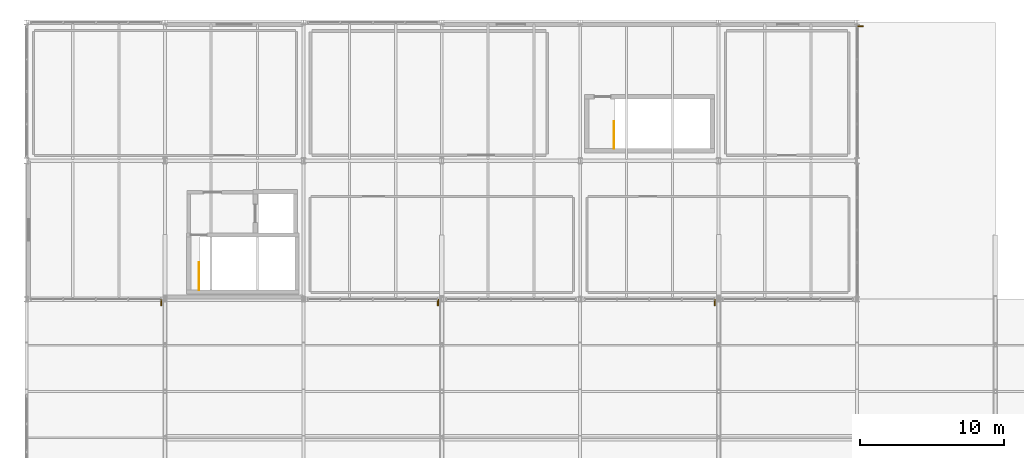
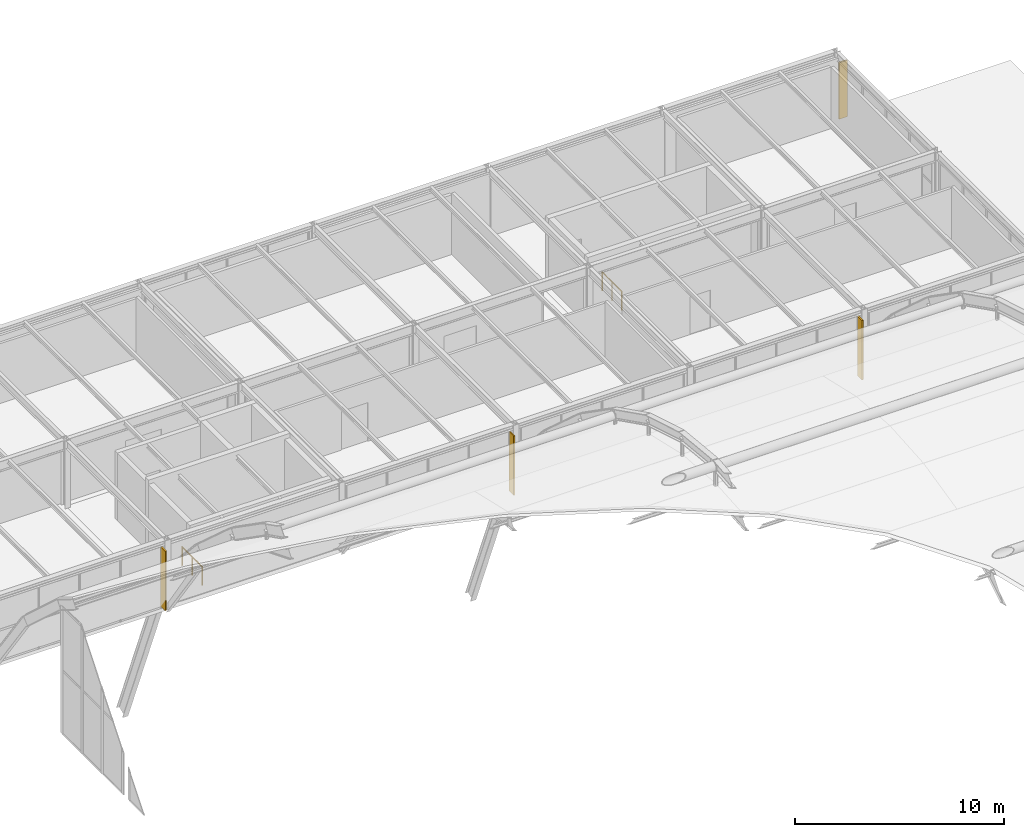
# One storey, part 126 of 126: 4 shading devices, 2 railings.
"""IFC4 building model written with IfcOpenShell, lengths in metres."""

from ifc_helpers import new_model, si_unit, direction, frame, origin, origin_2d, place, context, subcontext, project, spatial, rectangle, circle, extrude, material, type_object, element, save


model = new_model("IFC4")

# Units and contexts
model_context = context("Model", 3, precision=1e-05, world=origin(), true_north=direction((0.0, 1.0)))
body_context = subcontext(model_context, "Body", "Model", "MODEL_VIEW")
ifc_project = project(units=[si_unit("LENGTHUNIT", "METRE"), si_unit("AREAUNIT", "SQUARE_METRE"), si_unit("VOLUMEUNIT", "CUBIC_METRE"), si_unit("PLANEANGLEUNIT", "RADIAN"), si_unit("MASSUNIT", "GRAM", prefix="KILO")], contexts=[model_context])

# Site, building, storey
site_placement = place(None, origin())
site = spatial("IfcSite", under=ifc_project, at=site_placement, CompositionType="ELEMENT")
building_placement = place(site_placement, origin())
building = spatial("IfcBuilding", under=site, at=building_placement, Name="Coralgate Yard Interchange", CompositionType="ELEMENT")
storey_placement = place(building_placement, frame((0.0, 0.0, 10.5)))
storey = spatial("IfcBuildingStorey", under=building, at=storey_placement, Name="L02", CompositionType="ELEMENT", Elevation=10.5)

# Railings
ifc_material_1 = material(Name="Grade 316 marine stainless steel and toughened glass balustrade", Category="steel")
railing_type = type_object("IfcRailingType", Name="RLG-GD1100", PredefinedType="BALUSTRADE", material=ifc_material_1)
railing_1_placement = place(storey_placement, frame((50.35009765625, 77.449951171875, 0.0)))
element("IfcRailing", 1, at=railing_1_placement, inside=storey, type_object=railing_type, Name="L02 ST-05 top well guard 1", PredefinedType="BALUSTRADE", context=body_context, shape_type="SweptSolid", body=[
    extrude(circle(Radius=0.02392578125, at=origin_2d()), frame((0.0, 0.0, 1.076171875), z_axis=(0.0, 1.0, 0.0), x_axis=(-1.0, 0.0, 0.0)), (0.0, 0.0, 1.0), 1.91015625),
    extrude(circle(Radius=0.02099609375, at=origin_2d()), origin(), (0.0, 0.0, 1.0), 1.051513671875),
    extrude(circle(Radius=0.02099609375, at=origin_2d()), frame((0.0, 0.955078125, 0.0)), (0.0, 0.0, 1.0), 1.051513671875),
    extrude(circle(Radius=0.02099609375, at=origin_2d()), frame((0.0, 1.91015625, 0.0)), (0.0, 0.0, 1.0), 1.051513671875),
])
railing_2_placement = place(storey_placement, frame((79.14990234375, 87.260009765625, 0.0)))
element("IfcRailing", 2, at=railing_2_placement, inside=storey, type_object=railing_type, Name="L02 ST-09 top well guard 1", PredefinedType="BALUSTRADE", context=body_context, shape_type="SweptSolid", body=[
    extrude(circle(Radius=0.02392578125, at=origin_2d()), frame((0.0, 0.0, 1.076171875), z_axis=(0.0, 1.0, 0.0), x_axis=(-1.0, 0.0, 0.0)), (0.0, 0.0, 1.0), 1.869873046875),
    extrude(circle(Radius=0.02099609375, at=origin_2d()), origin(), (0.0, 0.0, 1.0), 1.051513671875),
    extrude(circle(Radius=0.02099609375, at=origin_2d()), frame((0.0, 0.93505859375, 0.0)), (0.0, 0.0, 1.0), 1.051513671875),
    extrude(circle(Radius=0.02099609375, at=origin_2d()), frame((0.0, 1.869873046875, 0.0)), (0.0, 0.0, 1.0), 1.051513671875),
])

# Shading devices
ifc_material_2 = material(Name="Anodised coastal aluminium vertical brise-soleil blade", Category="aluminium")
shading_device_type = type_object("IfcShadingDeviceType", Name="SHD-BS1", PredefinedType="SHUTTER", material=ifc_material_2)
for number, where, z_axis, x_axis, name in (
    (3, (47.72998046875, 76.580078125, 0.10009765625), (0.0, 0.0, 1.0), (-1.0, 0.0, 0.0), "L02 coastal aluminium brise-soleil fin S-4-8"),
    (4, (66.929931640625, 76.580078125, 0.10009765625), (0.0, 0.0, 1.0), (-1.0, 0.0, 0.0), "L02 coastal aluminium brise-soleil fin S-6-8"),
    (5, (86.1298828125, 76.580078125, 0.10009765625), (0.0, 0.0, 1.0), (-1.0, 0.0, 0.0), "L02 coastal aluminium brise-soleil fin S-8-8"),
):
    element("IfcShadingDevice", number, at=place(storey_placement, frame(where, z_axis=z_axis, x_axis=x_axis)), inside=storey, type_object=shading_device_type, Name=name, PredefinedType="SHUTTER", context=body_context, shape_type="SweptSolid", body=[
        extrude(rectangle(XDim=0.080078125, YDim=0.449951171875, at=origin_2d()), origin(), (0.0, 0.0, 1.0), 3.4599609375),
    ])
shading_device_placement = place(storey_placement, frame((96.219970703125, 95.72998046875, 0.10009765625), z_axis=(0.0, 0.0, 1.0), x_axis=(0.0, -1.0, 0.0)))
element("IfcShadingDevice", 6, at=shading_device_placement, inside=storey, type_object=shading_device_type, Name="L02 coastal aluminium brise-soleil fin E-9-9", PredefinedType="SHUTTER", context=body_context, shape_type="SweptSolid", body=[
    extrude(rectangle(XDim=0.080078125, YDim=0.449951171875, at=origin_2d()), origin(), (0.0, 0.0, 1.0), 3.29296875),
])

save(model, "model.ifc")
